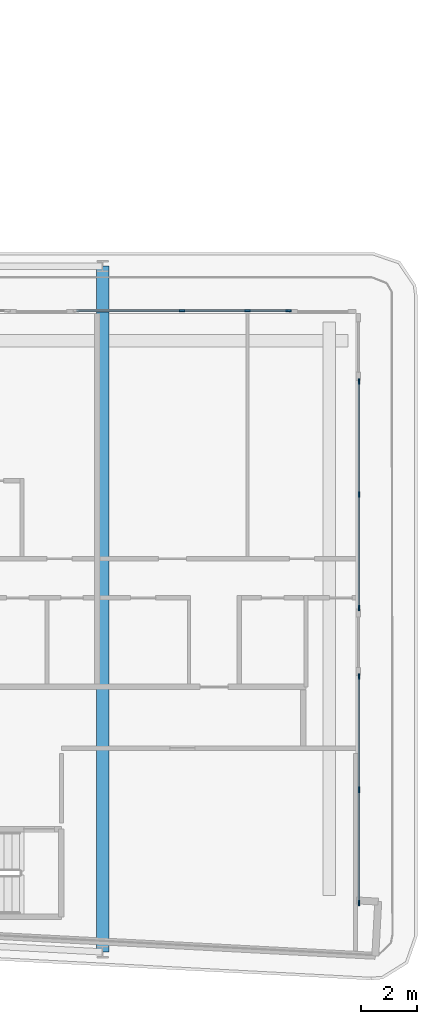
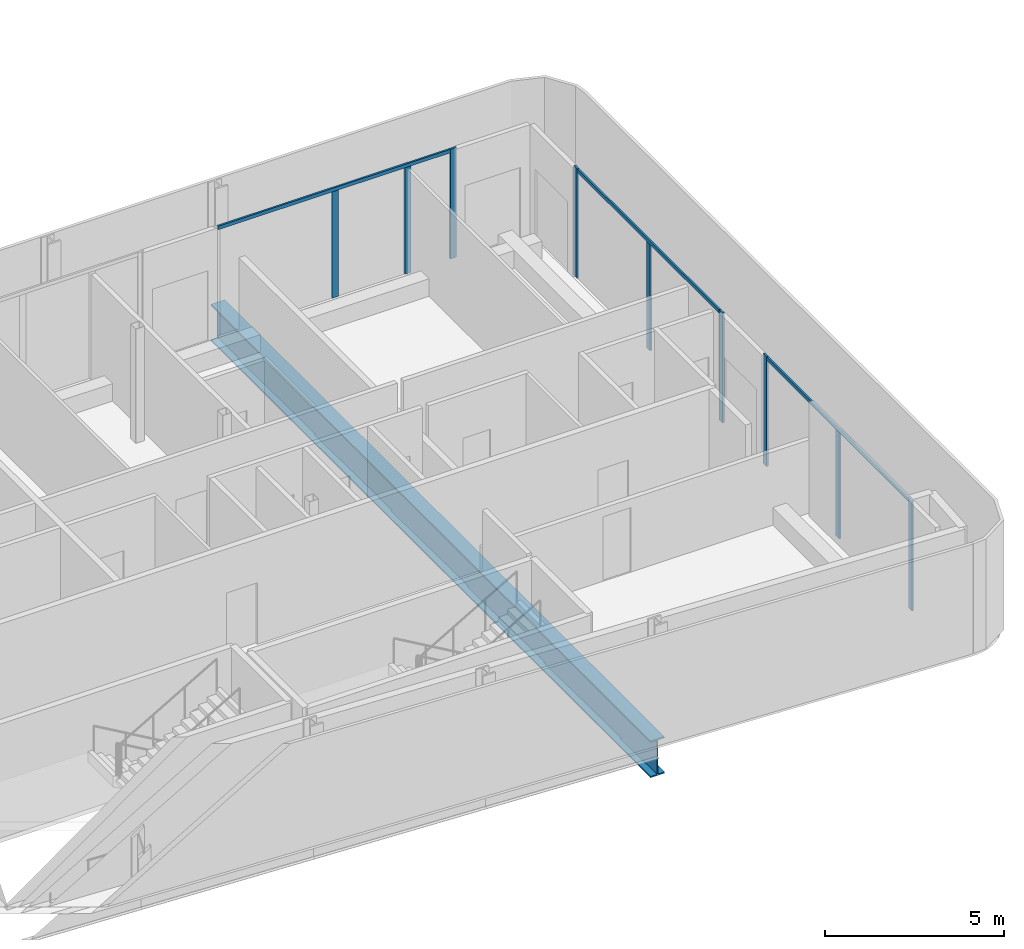
# One storey, part 10 of 28: 12 members, 1 beam, 3 elements without a shape of their own.
"""IFC4 building model written with IfcOpenShell, lengths in metres."""

from ifc_helpers import new_model, si_unit, direction, frame, origin, origin_2d, place, context, subcontext, project, spatial, rectangle, i_section, extrude, material, layer, layer_set, material_profile, profile_set, type_object, element, aggregate, save


model = new_model("IFC4")

# Units and contexts
model_context = context("Model", 3, precision=1e-05, world=origin(), true_north=direction((0.0, 1.0)))
body_context = subcontext(model_context, "Body", "Model", "MODEL_VIEW")
ifc_project = project(units=[si_unit("LENGTHUNIT", "METRE"), si_unit("AREAUNIT", "SQUARE_METRE"), si_unit("VOLUMEUNIT", "CUBIC_METRE"), si_unit("PLANEANGLEUNIT", "RADIAN"), si_unit("MASSUNIT", "GRAM", prefix="KILO")], contexts=[model_context])

# Site, building, storey
site_placement = place(None, origin())
site = spatial("IfcSite", under=ifc_project, at=site_placement, CompositionType="ELEMENT")
building_placement = place(site_placement, origin())
building = spatial("IfcBuilding", under=site, at=building_placement, Name="Kheshtan School and Residences Tower", CompositionType="ELEMENT")
storey_placement = place(building_placement, frame((0.0, 0.0, 191.60009765625)))
storey = spatial("IfcBuildingStorey", under=building, at=storey_placement, Name="L45", CompositionType="ELEMENT", Elevation=191.60009765625)

# Curtain wall, members
ifc_material_1 = material(Name="Clear low-e glass in thermally broken aluminium frame", Category="aluminium")
ifc_layer = layer(ifc_material_1, 0.199951171875)
ifc_layer_set = layer_set([ifc_layer], Name="Curtain wall CW-L")
curtain_wall_type = type_object("IfcCurtainWallType", Name="Curtain wall CW-L", PredefinedType="NOTDEFINED", material=ifc_layer_set)
curtain_wall_1_placement = place(storey_placement, origin())
curtain_wall_1 = element("IfcCurtainWall", 1, at=curtain_wall_1_placement, inside=storey, type_object=curtain_wall_type, Name="Curtain wall CWL12k", PredefinedType="NOTDEFINED")
ifc_material_2 = material(Name="Thermally broken aluminium, dark bronze anodised", Category="aluminium")
ifc_material_profile_1 = material_profile(ifc_material_2, rectangle(XDim=0.06005859375, YDim=0.199951171875, at=origin_2d()), Name="CW-L mullion 60x200")
ifc_profile_set_1 = profile_set([ifc_material_profile_1], Name="Thermally broken aluminium, dark bronze anodised")
member_type_1 = type_object("IfcMemberType", Name="CW-L mullion 60x200", PredefinedType="MULLION", material=ifc_profile_set_1)
member_1_placement = place(storey_placement, frame((93.653076171875, 44.0, 0.0), z_axis=(0.0, 0.0, 1.0), x_axis=(0.0, 1.0, 0.0)))
member_1 = element("IfcMember", 2, at=member_1_placement, type_object=member_type_1, Name="CWL12k mullion 2", PredefinedType="MULLION", context=body_context, shape_type="SweptSolid", body=[
    extrude(rectangle(XDim=0.06005859375, YDim=0.199951171875, at=origin_2d()), origin(), (0.0, 0.0, 1.0), 3.6298828125),
])
member_2_placement = place(storey_placement, frame((96.0, 44.0, 0.0), z_axis=(0.0, 0.0, 1.0), x_axis=(0.0, 1.0, 0.0)))
member_2 = element("IfcMember", 3, at=member_2_placement, type_object=member_type_1, Name="CWL12k mullion 3", PredefinedType="MULLION", context=body_context, shape_type="SweptSolid", body=[
    extrude(rectangle(XDim=0.06005859375, YDim=0.199951171875, at=origin_2d()), origin(), (0.0, 0.0, 1.0), 3.6298828125),
])
member_3_placement = place(storey_placement, frame((97.469970703125, 44.0, 0.0), z_axis=(0.0, 0.0, 1.0), x_axis=(0.0, 1.0, 0.0)))
member_3 = element("IfcMember", 4, at=member_3_placement, type_object=member_type_1, Name="CWL12k mullion 4", PredefinedType="MULLION", context=body_context, shape_type="SweptSolid", body=[
    extrude(rectangle(XDim=0.06005859375, YDim=0.199951171875, at=origin_2d()), origin(), (0.0, 0.0, 1.0), 3.75),
])

curtain_wall_2_placement = place(storey_placement, origin())
curtain_wall_2 = element("IfcCurtainWall", 5, at=curtain_wall_2_placement, inside=storey, type_object=curtain_wall_type, Name="Curtain wall CWL13b", PredefinedType="NOTDEFINED")
member_4_placement = place(storey_placement, frame((100.0, 41.469970703125, 0.0), z_axis=(0.0, 0.0, 1.0), x_axis=(1.0, 0.0, 0.0)))
member_4 = element("IfcMember", 6, at=member_4_placement, type_object=member_type_1, Name="CWL13b mullion 1", PredefinedType="MULLION", context=body_context, shape_type="SweptSolid", body=[
    extrude(rectangle(XDim=0.06005859375, YDim=0.199951171875, at=origin_2d()), origin(), (0.0, 0.0, 1.0), 3.75),
])
member_5_placement = place(storey_placement, frame((100.0, 37.403564453125, 0.0), z_axis=(0.0, 0.0, 1.0), x_axis=(1.0, 0.0, 0.0)))
member_5 = element("IfcMember", 7, at=member_5_placement, type_object=member_type_1, Name="CWL13b mullion 2", PredefinedType="MULLION", context=body_context, shape_type="SweptSolid", body=[
    extrude(rectangle(XDim=0.06005859375, YDim=0.199951171875, at=origin_2d()), origin(), (0.0, 0.0, 1.0), 3.6298828125),
])
member_6_placement = place(storey_placement, frame((100.0, 33.3369140625, 0.0), z_axis=(0.0, 0.0, 1.0), x_axis=(1.0, 0.0, 0.0)))
member_6 = element("IfcMember", 8, at=member_6_placement, type_object=member_type_1, Name="CWL13b mullion 3", PredefinedType="MULLION", context=body_context, shape_type="SweptSolid", body=[
    extrude(rectangle(XDim=0.06005859375, YDim=0.199951171875, at=origin_2d()), origin(), (0.0, 0.0, 1.0), 3.75),
])

curtain_wall_3_placement = place(storey_placement, origin())
curtain_wall_3 = element("IfcCurtainWall", 9, at=curtain_wall_3_placement, inside=storey, type_object=curtain_wall_type, Name="Curtain wall CWL13b", PredefinedType="NOTDEFINED")
member_7_placement = place(storey_placement, frame((100.0, 30.876953125, 0.0), z_axis=(0.0, 0.0, 1.0), x_axis=(1.0, 0.0, 0.0)))
member_7 = element("IfcMember", 10, at=member_7_placement, type_object=member_type_1, Name="CWL13b mullion 1", PredefinedType="MULLION", context=body_context, shape_type="SweptSolid", body=[
    extrude(rectangle(XDim=0.06005859375, YDim=0.199951171875, at=origin_2d()), origin(), (0.0, 0.0, 1.0), 3.75),
])
member_8_placement = place(storey_placement, frame((100.0, 26.810546875, 0.0), z_axis=(0.0, 0.0, 1.0), x_axis=(1.0, 0.0, 0.0)))
member_8 = element("IfcMember", 11, at=member_8_placement, type_object=member_type_1, Name="CWL13b mullion 2", PredefinedType="MULLION", context=body_context, shape_type="SweptSolid", body=[
    extrude(rectangle(XDim=0.06005859375, YDim=0.199951171875, at=origin_2d()), origin(), (0.0, 0.0, 1.0), 3.6298828125),
])
member_9_placement = place(storey_placement, frame((100.0, 22.743896484375, 0.0), z_axis=(0.0, 0.0, 1.0), x_axis=(1.0, 0.0, 0.0)))
member_9 = element("IfcMember", 12, at=member_9_placement, type_object=member_type_1, Name="CWL13b mullion 3", PredefinedType="MULLION", context=body_context, shape_type="SweptSolid", body=[
    extrude(rectangle(XDim=0.06005859375, YDim=0.199951171875, at=origin_2d()), origin(), (0.0, 0.0, 1.0), 3.75),
])

# Member
ifc_material_profile_2 = material_profile(ifc_material_2, rectangle(XDim=0.06005859375, YDim=0.1201171875, at=origin_2d()), Name="CW-L transom 60x120")
ifc_profile_set_2 = profile_set([ifc_material_profile_2], Name="Thermally broken aluminium, dark bronze anodised")
member_type_2 = type_object("IfcMemberType", Name="CW-L transom 60x120", PredefinedType="USERDEFINED", material=ifc_profile_set_2)
member_10_placement = place(storey_placement, frame((89.865966796875, 44.0, 3.68994140625), z_axis=(1.0, 0.0, 0.0), x_axis=(0.0, 1.0, 0.0)))
member_10 = element("IfcMember", 13, at=member_10_placement, type_object=member_type_2, Name="CWL12k transom 1", ObjectType="TRANSOM", PredefinedType="USERDEFINED", context=body_context, shape_type="SweptSolid", body=[
    extrude(rectangle(XDim=0.06005859375, YDim=0.1201171875, at=origin_2d()), origin(), (0.0, 0.0, 1.0), 7.573974609375),
])

aggregate(curtain_wall_1, [member_1, member_2, member_3, member_10])

member_11_placement = place(storey_placement, frame((100.0, 41.43994140625, 3.68994140625), z_axis=(0.0, -1.0, 0.0), x_axis=(1.0, 0.0, 0.0)))
member_11 = element("IfcMember", 14, at=member_11_placement, type_object=member_type_2, Name="CWL13b transom 1", ObjectType="TRANSOM", PredefinedType="USERDEFINED", context=body_context, shape_type="SweptSolid", body=[
    extrude(rectangle(XDim=0.06005859375, YDim=0.1201171875, at=origin_2d()), origin(), (0.0, 0.0, 1.0), 8.072998046875),
])

aggregate(curtain_wall_2, [member_4, member_5, member_6, member_11])

member_12_placement = place(storey_placement, frame((100.0, 30.846923828125, 3.68994140625), z_axis=(0.0, -1.0, 0.0), x_axis=(1.0, 0.0, 0.0)))
member_12 = element("IfcMember", 15, at=member_12_placement, type_object=member_type_2, Name="CWL13b transom 1", ObjectType="TRANSOM", PredefinedType="USERDEFINED", context=body_context, shape_type="SweptSolid", body=[
    extrude(rectangle(XDim=0.06005859375, YDim=0.1201171875, at=origin_2d()), origin(), (0.0, 0.0, 1.0), 8.072998046875),
])

aggregate(curtain_wall_3, [member_7, member_8, member_9, member_12])

# Beam
ifc_material_3 = material(Name="Steel ASTM A992 Grade 50", Category="steel")
ifc_material_profile_3 = material_profile(ifc_material_3, i_section(OverallWidth=0.449951171875, OverallDepth=1.25, WebThickness=0.02490234375, FlangeThickness=0.044921875, FilletRadius=0.03759765625, at=origin_2d()), Name="WWF1250x546")
ifc_profile_set_3 = profile_set([ifc_material_profile_3], Name="Steel ASTM A992 Grade 50")
beam_type = type_object("IfcBeamType", Name="Transfer girder TG4 WWF1250x546 ASTM A992 Grade 50", PredefinedType="BEAM", material=ifc_profile_set_3)
beam_placement = place(storey_placement, frame((90.800048828125, 45.60009765625, -0.775146484375), z_axis=(0.0, -1.0, 0.0), x_axis=(1.0, 0.0, 0.0)))
element("IfcBeam", 16, at=beam_placement, inside=storey, type_object=beam_type, Name="Transfer girder C068-C006", PredefinedType="BEAM", context=body_context, shape_type="SweptSolid", body=[
    extrude(i_section(OverallWidth=0.449951171875, OverallDepth=1.25, WebThickness=0.02490234375, FlangeThickness=0.044921875, FilletRadius=0.03759765625, at=origin_2d()), origin(), (0.0, 0.0, 1.0), 24.610107421875),
])

save(model, "model.ifc")
